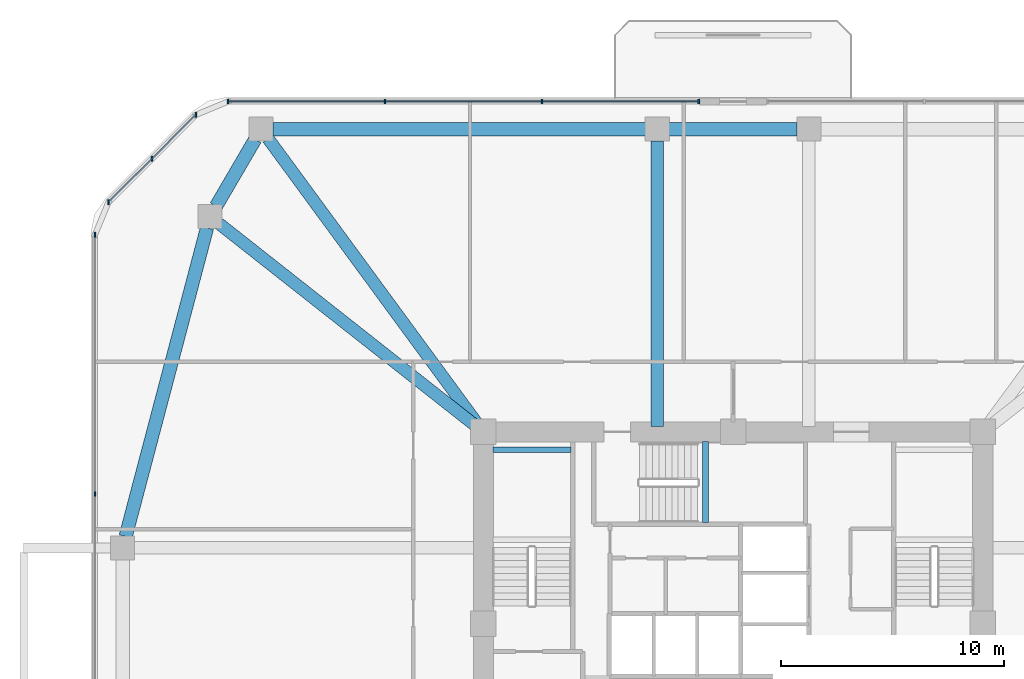
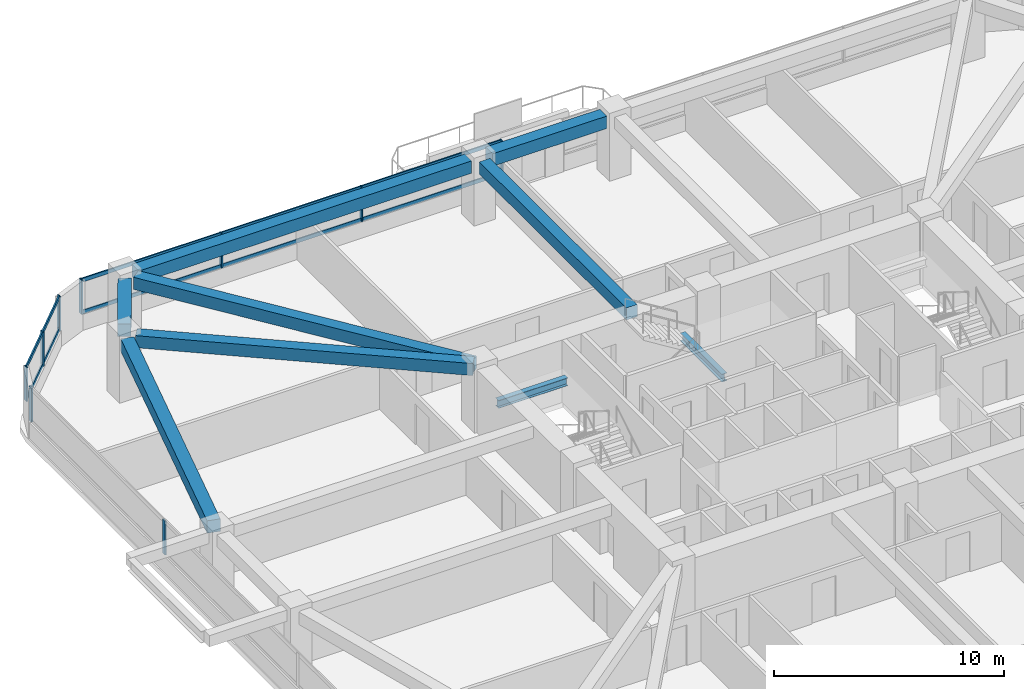
# One storey, part 6 of 14: 13 members, 9 beams, 3 elements without a shape of their own.
"""IFC4 building model written with IfcOpenShell, lengths in metres."""

from ifc_helpers import new_model, si_unit, derived_unit, direction, frame, origin, origin_2d, place, context, subcontext, project, spatial, rectangle, i_section, extrude, material, material_profile, profile_set, type_object, element, aggregate, save


model = new_model("IFC4")

# Units and contexts
model_context = context("Model", 3, precision=1e-05, world=origin(), true_north=direction((0.0, 1.0)))
body_context = subcontext(model_context, "Body", "Model", "MODEL_VIEW")
ifc_project = project(units=[si_unit("LENGTHUNIT", "METRE"), si_unit("AREAUNIT", "SQUARE_METRE"), si_unit("VOLUMEUNIT", "CUBIC_METRE"), si_unit("PLANEANGLEUNIT", "RADIAN"), si_unit("MASSUNIT", "GRAM", prefix="KILO"), derived_unit("THERMALTRANSMITTANCEUNIT", [(si_unit("POWERUNIT", "WATT"), 1), (si_unit("LENGTHUNIT", "METRE"), -2), (si_unit("THERMODYNAMICTEMPERATUREUNIT", "KELVIN"), -1)])], contexts=[model_context])

# Site, building, storey
site_placement = place(None, origin())
site = spatial("IfcSite", under=ifc_project, at=site_placement, CompositionType="ELEMENT")
building_placement = place(site_placement, origin())
building = spatial("IfcBuilding", under=site, at=building_placement, Name="Koralith Skygarden Medical Center", CompositionType="ELEMENT")
storey_placement = place(building_placement, frame((0.0, 0.0, 31.139892578125)))
storey = spatial("IfcBuildingStorey", under=building, at=storey_placement, Name="L07", CompositionType="ELEMENT", Elevation=31.139892578125)

# Curtain wall, members
ifc_material_1 = material(Name="Clear Laminated Glass", Category="glass")
curtain_wall_type = type_object("IfcCurtainWallType", Name="CW-2 Zone 1 Hurricane Unitised Curtain Wall", PredefinedType="NOTDEFINED", material=ifc_material_1)
curtain_wall_1_placement = place(storey_placement, origin())
curtain_wall_1 = element("IfcCurtainWall", 1, at=curtain_wall_1_placement, inside=storey, type_object=curtain_wall_type, Name="Curtain Wall CW-L07-N-R", PredefinedType="NOTDEFINED")
ifc_material_2 = material(Name="Aluminium 6063-T6", Category="aluminium")
ifc_material_profile_1 = material_profile(ifc_material_2, rectangle(XDim=0.071044921875, YDim=0.219970703125, at=origin_2d()), Name="MUL71X220")
ifc_profile_set_1 = profile_set([ifc_material_profile_1], Name="Aluminium 6063-T6")
member_type_1 = type_object("IfcMemberType", Name="CW-2 Extruded Mullion 71x220", PredefinedType="MULLION", material=ifc_profile_set_1)
member_1_placement = place(storey_placement, frame((35.4599609375, 49.320068359375, 0.85009765625), z_axis=(0.0, 0.0, 1.0), x_axis=(1.0, 0.0, 0.0)))
member_1 = element("IfcMember", 2, at=member_1_placement, type_object=member_type_1, Name="CW-L07-N-R Mullion 1", PredefinedType="MULLION", context=body_context, shape_type="SweptSolid", body=[
    extrude(rectangle(XDim=0.071044921875, YDim=0.219970703125, at=origin_2d()), origin(), (0.0, 0.0, 1.0), 1.800048828125),
])
member_2_placement = place(storey_placement, frame((28.425048828125, 49.320068359375, 0.85009765625), z_axis=(0.0, 0.0, 1.0), x_axis=(1.0, 0.0, 0.0)))
member_2 = element("IfcMember", 3, at=member_2_placement, type_object=member_type_1, Name="CW-L07-N-R Mullion 2", PredefinedType="MULLION", context=body_context, shape_type="SweptSolid", body=[
    extrude(rectangle(XDim=0.071044921875, YDim=0.219970703125, at=origin_2d()), origin(), (0.0, 0.0, 1.0), 1.800048828125),
])
member_3_placement = place(storey_placement, frame((21.389892578125, 49.320068359375, 0.85009765625), z_axis=(0.0, 0.0, 1.0), x_axis=(1.0, 0.0, 0.0)))
member_3 = element("IfcMember", 4, at=member_3_placement, type_object=member_type_1, Name="CW-L07-N-R Mullion 3", PredefinedType="MULLION", context=body_context, shape_type="SweptSolid", body=[
    extrude(rectangle(XDim=0.071044921875, YDim=0.219970703125, at=origin_2d()), origin(), (0.0, 0.0, 1.0), 1.800048828125),
])
member_4_placement = place(storey_placement, frame((14.35498046875, 49.320068359375, 0.85009765625), z_axis=(0.0, 0.0, 1.0), x_axis=(1.0, 0.0, 0.0)))
member_4 = element("IfcMember", 5, at=member_4_placement, type_object=member_type_1, Name="CW-L07-N-R Mullion 4", PredefinedType="MULLION", context=body_context, shape_type="SweptSolid", body=[
    extrude(rectangle(XDim=0.071044921875, YDim=0.219970703125, at=origin_2d()), origin(), (0.0, 0.0, 1.0), 1.800048828125),
])

curtain_wall_2_placement = place(storey_placement, origin())
curtain_wall_2 = element("IfcCurtainWall", 6, at=curtain_wall_2_placement, inside=storey, type_object=curtain_wall_type, Name="Curtain Wall CW-L07-NW", PredefinedType="NOTDEFINED")
member_5_placement = place(storey_placement, frame((12.904052734375, 48.718994140625, 0.85009765625), z_axis=(0.0, 0.0, 1.0), x_axis=(1.0, 0.0, 0.0)))
member_5 = element("IfcMember", 7, at=member_5_placement, type_object=member_type_1, Name="CW-L07-NW Mullion 1", PredefinedType="MULLION", context=body_context, shape_type="SweptSolid", body=[
    extrude(rectangle(XDim=0.071044921875, YDim=0.219970703125, at=origin_2d()), origin(), (0.0, 0.0, 1.0), 1.800048828125),
])
member_6_placement = place(storey_placement, frame((10.94189453125, 46.758056640625, 0.85009765625), z_axis=(0.0, 0.0, 1.0), x_axis=(1.0, 0.0, 0.0)))
member_6 = element("IfcMember", 8, at=member_6_placement, type_object=member_type_1, Name="CW-L07-NW Mullion 2", PredefinedType="MULLION", context=body_context, shape_type="SweptSolid", body=[
    extrude(rectangle(XDim=0.071044921875, YDim=0.219970703125, at=origin_2d()), origin(), (0.0, 0.0, 1.0), 1.800048828125),
])
member_7_placement = place(storey_placement, frame((8.98095703125, 44.7958984375, 0.85009765625), z_axis=(0.0, 0.0, 1.0), x_axis=(1.0, 0.0, 0.0)))
member_7 = element("IfcMember", 9, at=member_7_placement, type_object=member_type_1, Name="CW-L07-NW Mullion 3", PredefinedType="MULLION", context=body_context, shape_type="SweptSolid", body=[
    extrude(rectangle(XDim=0.071044921875, YDim=0.219970703125, at=origin_2d()), origin(), (0.0, 0.0, 1.0), 1.800048828125),
])

curtain_wall_3_placement = place(storey_placement, origin())
curtain_wall_3 = element("IfcCurtainWall", 10, at=curtain_wall_3_placement, inside=storey, type_object=curtain_wall_type, Name="Curtain Wall CW-L07-W", PredefinedType="NOTDEFINED")
member_8_placement = place(storey_placement, frame((8.3798828125, 43.344970703125, 0.85009765625), z_axis=(0.0, 0.0, 1.0), x_axis=(1.0, 0.0, 0.0)))
member_8 = element("IfcMember", 11, at=member_8_placement, type_object=member_type_1, Name="CW-L07-W Mullion 1", PredefinedType="MULLION", context=body_context, shape_type="SweptSolid", body=[
    extrude(rectangle(XDim=0.071044921875, YDim=0.219970703125, at=origin_2d()), origin(), (0.0, 0.0, 1.0), 1.800048828125),
])
member_9_placement = place(storey_placement, frame((8.3798828125, 31.715087890625, 0.85009765625), z_axis=(0.0, 0.0, 1.0), x_axis=(1.0, 0.0, 0.0)))
member_9 = element("IfcMember", 12, at=member_9_placement, type_object=member_type_1, Name="CW-L07-W Mullion 2", PredefinedType="MULLION", context=body_context, shape_type="SweptSolid", body=[
    extrude(rectangle(XDim=0.071044921875, YDim=0.219970703125, at=origin_2d()), origin(), (0.0, 0.0, 1.0), 1.800048828125),
])
aggregate(curtain_wall_3, [member_8, member_9])

# Member
ifc_material_profile_2 = material_profile(ifc_material_2, rectangle(XDim=0.06591796875, YDim=0.197998046875, at=origin_2d()), Name="TRN66X198")
ifc_profile_set_2 = profile_set([ifc_material_profile_2], Name="Aluminium 6063-T6")
member_type_2 = type_object("IfcMemberType", Name="CW-2 Thermal Transom 66x198", PredefinedType="USERDEFINED", material=ifc_profile_set_2)
member_10_placement = place(storey_placement, frame((35.4599609375, 49.320068359375, 0.900146484375), z_axis=(-1.0, 0.0, 0.0), x_axis=(0.0, -1.0, 0.0)))
member_10 = element("IfcMember", 13, at=member_10_placement, type_object=member_type_2, Name="CW-L07-N-R Transom 1", ObjectType="TRANSOM", PredefinedType="USERDEFINED", context=body_context, shape_type="SweptSolid", body=[
    extrude(rectangle(XDim=0.06591796875, YDim=0.197998046875, at=origin_2d()), origin(), (0.0, 0.0, 1.0), 21.10498046875),
])

member_11_placement = place(storey_placement, frame((35.4599609375, 49.320068359375, 2.60009765625), z_axis=(-1.0, 0.0, 0.0), x_axis=(0.0, -1.0, 0.0)))
member_11 = element("IfcMember", 14, at=member_11_placement, type_object=member_type_2, Name="CW-L07-N-R Transom 2", ObjectType="TRANSOM", PredefinedType="USERDEFINED", context=body_context, shape_type="SweptSolid", body=[
    extrude(rectangle(XDim=0.06591796875, YDim=0.197998046875, at=origin_2d()), origin(), (0.0, 0.0, 1.0), 21.10498046875),
])

aggregate(curtain_wall_1, [member_1, member_2, member_3, member_4, member_10, member_11])

member_12_placement = place(storey_placement, frame((12.904052734375, 48.718994140625, 0.900146484375), z_axis=(-0.707106781187, -0.707106781187, 0.0), x_axis=(0.707106781187, -0.707106781187, 0.0)))
member_12 = element("IfcMember", 15, at=member_12_placement, type_object=member_type_2, Name="CW-L07-NW Transom 1", ObjectType="TRANSOM", PredefinedType="USERDEFINED", context=body_context, shape_type="SweptSolid", body=[
    extrude(rectangle(XDim=0.06591796875, YDim=0.197998046875, at=origin_2d()), origin(), (0.0, 0.0, 1.0), 5.548095703125),
])

member_13_placement = place(storey_placement, frame((12.904052734375, 48.718994140625, 2.60009765625), z_axis=(-0.707106781187, -0.707106781187, 0.0), x_axis=(0.707106781187, -0.707106781187, 0.0)))
member_13 = element("IfcMember", 16, at=member_13_placement, type_object=member_type_2, Name="CW-L07-NW Transom 2", ObjectType="TRANSOM", PredefinedType="USERDEFINED", context=body_context, shape_type="SweptSolid", body=[
    extrude(rectangle(XDim=0.06591796875, YDim=0.197998046875, at=origin_2d()), origin(), (0.0, 0.0, 1.0), 5.548095703125),
])

aggregate(curtain_wall_2, [member_5, member_6, member_7, member_12, member_13])

# Beams
ifc_material_3 = material(Name="Steel ASTM A992 Grade 50", Category="steel")
ifc_material_profile_3 = material_profile(ifc_material_3, i_section(OverallWidth=0.260009765625, OverallDepth=0.4150390625, WebThickness=0.010009765625, FlangeThickness=0.016845703125, at=origin_2d()), Name="W16X67")
ifc_profile_set_3 = profile_set([ifc_material_profile_3], Name="Steel ASTM A992 Grade 50")
beam_type_1 = type_object("IfcBeamType", Name="Clinical Floor Joist W16X67", PredefinedType="JOIST", material=ifc_profile_set_3)
beam_1_placement = place(storey_placement, frame((26.22998046875, 33.699951171875, 1.39208984375), z_axis=(1.0, 0.0, 0.0), x_axis=(0.0, 1.0, 0.0)))
element("IfcBeam", 17, at=beam_1_placement, inside=storey, type_object=beam_type_1, Name="L07 Stair ST1 Half-Landing Support Beam 1B", PredefinedType="JOIST", context=body_context, shape_type="SweptSolid", body=[
    extrude(i_section(OverallWidth=0.260009765625, OverallDepth=0.4150390625, WebThickness=0.010009765625, FlangeThickness=0.016845703125, at=origin_2d()), origin(), (0.0, 0.0, 1.0), 3.489990234375),
])
beam_2_placement = place(storey_placement, frame((35.760009765625, 30.43994140625, 1.39208984375), z_axis=(0.0, 1.0, 0.0), x_axis=(-1.0, 0.0, 0.0)))
element("IfcBeam", 18, at=beam_2_placement, inside=storey, type_object=beam_type_1, Name="L07 Stair ST3 Half-Landing Support Beam 1A", PredefinedType="JOIST", context=body_context, shape_type="SweptSolid", body=[
    extrude(i_section(OverallWidth=0.260009765625, OverallDepth=0.4150390625, WebThickness=0.010009765625, FlangeThickness=0.016845703125, at=origin_2d()), origin(), (0.0, 0.0, 1.0), 3.630126953125),
])
ifc_material_4 = material(Name="Concrete C45/55", Category="concrete")
ifc_material_profile_4 = material_profile(ifc_material_4, rectangle(XDim=0.550048828125, YDim=0.639892578125, at=origin_2d()), Name="RCB550X640")
ifc_profile_set_4 = profile_set([ifc_material_profile_4], Name="Concrete C45/55")
beam_type_2 = type_object("IfcBeamType", Name="Radial Collector Beam RCB550X640", PredefinedType="BEAM", material=ifc_profile_set_4)
beam_3_placement = place(storey_placement, frame((33.60009765625, 34.75, 3.0), z_axis=(0.0, 1.0, 0.0), x_axis=(-1.0, 0.0, 0.0)))
element("IfcBeam", 19, at=beam_3_placement, inside=storey, type_object=beam_type_2, Name="L07 Radial Collector Beam RB-13", PredefinedType="BEAM", context=body_context, shape_type="SweptSolid", body=[
    extrude(rectangle(XDim=0.550048828125, YDim=0.639892578125, at=origin_2d()), origin(), (0.0, 0.0, 1.0), 12.800048828125),
])
beam_4_placement = place(storey_placement, frame((25.652099609375, 34.701904296875, 3.0), z_axis=(-0.591710803277, 0.806150311843, 0.0), x_axis=(-0.806150311843, -0.591710803277, 0.0)))
element("IfcBeam", 20, at=beam_4_placement, inside=storey, type_object=beam_type_2, Name="L07 Radial Collector Beam RB-14", PredefinedType="BEAM", context=body_context, shape_type="SweptSolid", body=[
    extrude(rectangle(XDim=0.550048828125, YDim=0.639892578125, at=origin_2d()), origin(), (0.0, 0.0, 1.0), 16.0654296875),
])
beam_5_placement = place(storey_placement, frame((25.60400390625, 34.655029296875, 3.0), z_axis=(-0.785497250365, 0.618865146594, 0.0), x_axis=(-0.618865146594, -0.785497250365, 0.0)))
element("IfcBeam", 21, at=beam_5_placement, inside=storey, type_object=beam_type_2, Name="L07 Radial Collector Beam RB-15", PredefinedType="BEAM", context=body_context, shape_type="SweptSolid", body=[
    extrude(rectangle(XDim=0.550048828125, YDim=0.639892578125, at=origin_2d()), origin(), (0.0, 0.0, 1.0), 14.828857421875),
])
ifc_material_profile_5 = material_profile(ifc_material_4, rectangle(XDim=0.60009765625, YDim=0.659912109375, at=origin_2d()), Name="RCB600X660")
ifc_profile_set_5 = profile_set([ifc_material_profile_5], Name="Concrete C45/55")
beam_type_3 = type_object("IfcBeamType", Name="Zone 1 Spandrel Beam RCB600X660", PredefinedType="SPANDREL", material=ifc_profile_set_5)
beam_6_placement = place(storey_placement, frame((39.8701171875, 48.080078125, 2.989990234375), z_axis=(-1.0, 0.0, 0.0), x_axis=(0.0, -1.0, 0.0)))
element("IfcBeam", 22, at=beam_6_placement, inside=storey, type_object=beam_type_3, Name="L07 Perimeter Spandrel Beam SP-12", PredefinedType="SPANDREL", context=body_context, shape_type="SweptSolid", body=[
    extrude(rectangle(XDim=0.60009765625, YDim=0.659912109375, at=origin_2d()), origin(), (0.0, 0.0, 1.0), 5.740234375),
])
beam_7_placement = place(storey_placement, frame((33.070068359375, 48.080078125, 2.989990234375), z_axis=(-1.0, 0.0, 0.0), x_axis=(0.0, -1.0, 0.0)))
element("IfcBeam", 23, at=beam_7_placement, inside=storey, type_object=beam_type_3, Name="L07 Perimeter Spandrel Beam SP-13", PredefinedType="SPANDREL", context=body_context, shape_type="SweptSolid", body=[
    extrude(rectangle(XDim=0.60009765625, YDim=0.659912109375, at=origin_2d()), origin(), (0.0, 0.0, 1.0), 16.7080078125),
])
beam_8_placement = place(storey_placement, frame((15.56396484375, 47.6220703125, 2.989990234375), z_axis=(-0.504608092658, -0.863348523381, 0.0), x_axis=(0.863348523381, -0.504608092658, 0.0)))
element("IfcBeam", 24, at=beam_8_placement, inside=storey, type_object=beam_type_3, Name="L07 Perimeter Spandrel Beam SP-14", PredefinedType="SPANDREL", context=body_context, shape_type="SweptSolid", body=[
    extrude(rectangle(XDim=0.60009765625, YDim=0.659912109375, at=origin_2d()), origin(), (0.0, 0.0, 1.0), 3.479736328125),
])
beam_9_placement = place(storey_placement, frame((13.405029296875, 43.64794921875, 2.989990234375), z_axis=(-0.255088684842, -0.966917660851, 0.0), x_axis=(0.966917660851, -0.255088684842, 0.0)))
element("IfcBeam", 25, at=beam_9_placement, inside=storey, type_object=beam_type_3, Name="L07 Perimeter Spandrel Beam SP-15", PredefinedType="SPANDREL", context=body_context, shape_type="SweptSolid", body=[
    extrude(rectangle(XDim=0.60009765625, YDim=0.659912109375, at=origin_2d()), origin(), (0.0, 0.0, 1.0), 14.309326171875),
])

save(model, "model.ifc")
